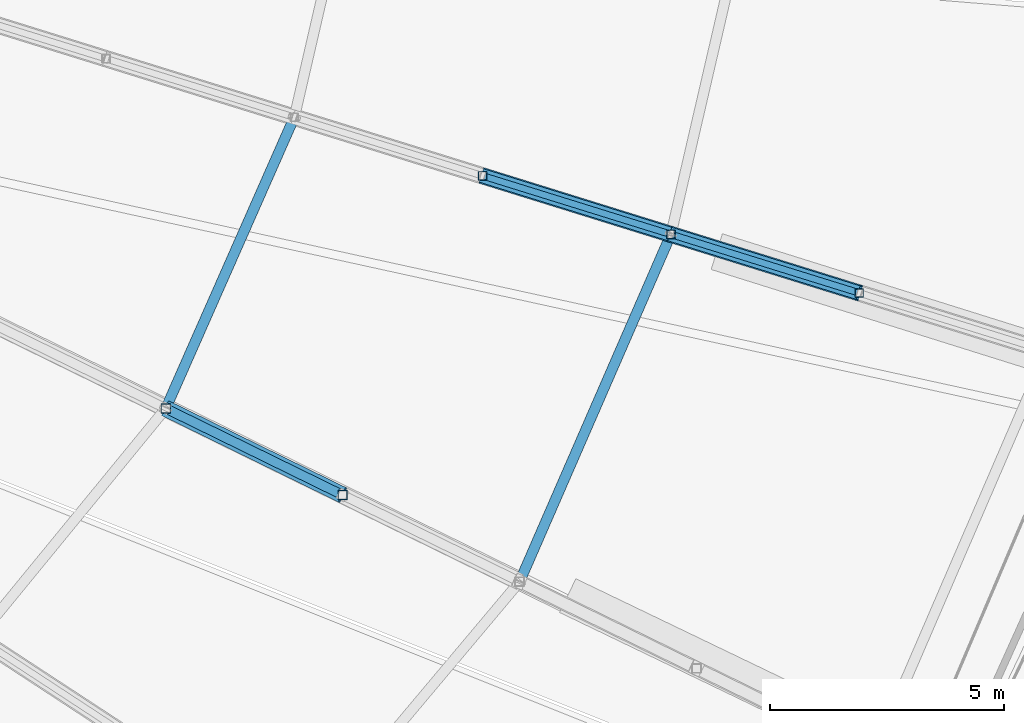
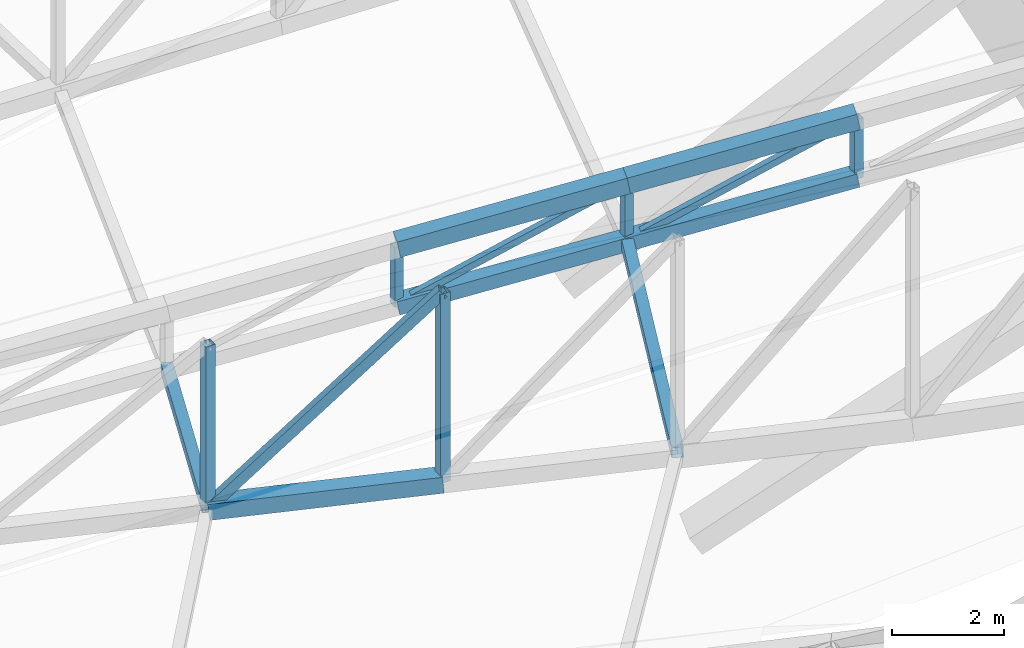
# One storey, part 88 of 344: 15 members.
"""IFC4 building model written with IfcOpenShell, lengths in metres."""

from ifc_helpers import new_model, si_unit, direction, frame, origin, origin_2d, place, context, subcontext, project, spatial, hollow_rectangle, extrude, material, material_profile, profile_set, type_object, element, save


model = new_model("IFC4")

# Units and contexts
model_context = context("Model", 3, precision=1e-05, world=origin(), true_north=direction((0.0, 1.0)))
body_context = subcontext(model_context, "Body", "Model", "MODEL_VIEW")
ifc_project = project(units=[si_unit("LENGTHUNIT", "METRE"), si_unit("AREAUNIT", "SQUARE_METRE"), si_unit("VOLUMEUNIT", "CUBIC_METRE"), si_unit("PLANEANGLEUNIT", "RADIAN"), si_unit("MASSUNIT", "GRAM", prefix="KILO")], contexts=[model_context])

# Site, building, storey
site_placement = place(None, origin())
site = spatial("IfcSite", under=ifc_project, at=site_placement, CompositionType="ELEMENT")
building_placement = place(site_placement, origin())
building = spatial("IfcBuilding", under=site, at=building_placement, Name="Meseta Stadium", CompositionType="ELEMENT")
storey_placement = place(building_placement, frame((0.0, 0.0, 24.0)))
storey = spatial("IfcBuildingStorey", under=building, at=storey_placement, Name="L04", CompositionType="ELEMENT", Elevation=24.0)

# Members
ifc_material_1 = material(Name="Steel S355", Category="steel")
ifc_material_profile_1 = material_profile(ifc_material_1, hollow_rectangle(XDim=0.139892578125, YDim=0.139892578125, WallThickness=0.0048828125, at=origin_2d()), Name="SHS 140x140x5")
ifc_profile_set_1 = profile_set([ifc_material_profile_1], Name="Steel S355")
member_type_1 = type_object("IfcMemberType", Name="SHS 140x140x5 diagonal", PredefinedType="BRACE", material=ifc_profile_set_1)
for number, where, z_axis, x_axis, name in (
    (1, (66.042236328125, -58.0185546875, 3.51025390625), (0.859290639384, -0.267194951752, 0.436149578498), (0.296924788831, 0.954900869084, 0.0), "ROOF TRUSS RT-55 diagonal"),
    (2, (70.073974609375, -59.272216796875, 4.256591796875), (0.859278691546, -0.267243269939, 0.436143514142), (0.296977513201, 0.954884472935, 0.0), "ROOF TRUSS RT-55 diagonal"),
):
    element("IfcMember", number, at=place(storey_placement, frame(where, z_axis=z_axis, x_axis=x_axis)), inside=storey, type_object=member_type_1, Name=name, PredefinedType="BRACE", context=body_context, shape_type="SweptSolid", body=[
        extrude(hollow_rectangle(XDim=0.139892578125, YDim=0.139892578125, WallThickness=0.0048828125, at=origin_2d()), origin(), (0.0, 0.0, 1.0), 4.69189453125),
    ])
ifc_material_2 = material(Name="Steel S355", Category="steel")
ifc_material_profile_2 = material_profile(ifc_material_2, hollow_rectangle(XDim=0.179931640625, YDim=0.179931640625, WallThickness=0.00634765625, at=origin_2d()), Name="SHS 180x180x6.3")
ifc_profile_set_2 = profile_set([ifc_material_profile_2], Name="Steel S355")
member_type_2 = type_object("IfcMemberType", Name="SHS 180x180x6.3 post", PredefinedType="POST", material=ifc_profile_set_2)
for number, where, z_axis, x_axis, name in (
    (3, (66.042236328125, -58.0185546875, 3.51025390625), (0.0, 0.0, 1.0), (1.0, 0.0, 0.0), "ROOF TRUSS RT-55 post"),
    (4, (70.073974609375, -59.272216796875, 4.256591796875), (0.0, 0.0, 1.0), (1.0, 0.0, 0.0), "ROOF TRUSS RT-55 post"),
    (5, (74.105712890625, -60.526123046875, 5.0029296875), (0.0, 0.0, 1.0), (1.0, 0.0, 0.0), "ROOF TRUSS RT-55 post"),
):
    element("IfcMember", number, at=place(storey_placement, frame(where, z_axis=z_axis, x_axis=x_axis)), inside=storey, type_object=member_type_2, Name=name, PredefinedType="POST", context=body_context, shape_type="SweptSolid", body=[
        extrude(hollow_rectangle(XDim=0.179931640625, YDim=0.179931640625, WallThickness=0.00634765625, at=origin_2d()), origin(), (0.0, 0.0, 1.0), 1.300048828125),
    ])
ifc_material_3 = material(Name="Steel S355", Category="steel")
ifc_material_profile_3 = material_profile(ifc_material_3, hollow_rectangle(XDim=0.199951171875, YDim=0.199951171875, WallThickness=0.008056640625, at=origin_2d()), Name="SHS 200x200x8")
ifc_profile_set_3 = profile_set([ifc_material_profile_3], Name="Steel S355")
member_type_3 = type_object("IfcMemberType", Name="SHS 200x200x8 diagonal", PredefinedType="BRACE", material=ifc_profile_set_3)
member_1_placement = place(storey_placement, frame((59.259033203125, -62.999267578125, 4.461669921875), z_axis=(0.611816826738, -0.299539839891, 0.732090195836), x_axis=(0.439718804076, 0.89813549832, 0.0)))
element("IfcMember", 6, at=member_1_placement, inside=storey, type_object=member_type_3, Name="ROOF TRUSS RT-54 diagonal", PredefinedType="BRACE", context=body_context, shape_type="SweptSolid", body=[
    extrude(hollow_rectangle(XDim=0.199951171875, YDim=0.199951171875, WallThickness=0.008056640625, at=origin_2d()), origin(), (0.0, 0.0, 1.0), 6.191162109375),
])
ifc_material_4 = material(Name="Steel S355", Category="steel")
ifc_material_profile_4 = material_profile(ifc_material_4, hollow_rectangle(XDim=0.199951171875, YDim=0.199951171875, WallThickness=0.008056640625, at=origin_2d()), Name="SHS 200x200x8")
ifc_profile_set_4 = profile_set([ifc_material_profile_4], Name="Steel S355")
member_type_4 = type_object("IfcMemberType", Name="SHS 200x200x8 post", PredefinedType="POST", material=ifc_profile_set_4)
member_2_placement = place(storey_placement, frame((59.259033203125, -62.999267578125, 4.461669921875), z_axis=(0.0, 0.0, 1.0), x_axis=(1.0, 0.0, 0.0)))
element("IfcMember", 7, at=member_2_placement, inside=storey, type_object=member_type_4, Name="ROOF TRUSS RT-54 post", PredefinedType="POST", context=body_context, shape_type="SweptSolid", body=[
    extrude(hollow_rectangle(XDim=0.199951171875, YDim=0.199951171875, WallThickness=0.008056640625, at=origin_2d()), origin(), (0.0, 0.0, 1.0), 3.58935546875),
])
member_3_placement = place(storey_placement, frame((63.046875, -64.853759765625, 4.857421875), z_axis=(0.0, 0.0, 1.0), x_axis=(1.0, 0.0, 0.0)))
element("IfcMember", 8, at=member_3_placement, inside=storey, type_object=member_type_4, Name="ROOF TRUSS RT-54 post", PredefinedType="POST", context=body_context, shape_type="SweptSolid", body=[
    extrude(hollow_rectangle(XDim=0.199951171875, YDim=0.199951171875, WallThickness=0.008056640625, at=origin_2d()), origin(), (0.0, 0.0, 1.0), 4.13671875),
])
ifc_material_5 = material(Name="Steel S355", Category="steel")
ifc_material_profile_5 = material_profile(ifc_material_5, hollow_rectangle(XDim=0.219970703125, YDim=0.219970703125, WallThickness=0.008056640625, at=origin_2d()), Name="SHS 220x220x8")
ifc_profile_set_5 = profile_set([ifc_material_profile_5], Name="Steel S355")
member_type_5 = type_object("IfcMemberType", Name="SHS 220x220x8 strut", PredefinedType="STRUT", material=ifc_profile_set_5)
member_4_placement = place(storey_placement, frame((59.259033203125, -62.999267578125, 4.461669921875), z_axis=(0.391775661057, 0.887735142538, -0.24173983558), x_axis=(-0.914869154579, 0.403750455108, 0.0)))
element("IfcMember", 9, at=member_4_placement, inside=storey, type_object=member_type_5, Name="ROOF TRUSS STRUT RT-54/55", PredefinedType="STRUT", context=body_context, shape_type="SweptSolid", body=[
    extrude(hollow_rectangle(XDim=0.219970703125, YDim=0.219970703125, WallThickness=0.008056640625, at=origin_2d()), origin(), (0.0, 0.0, 1.0), 7.02294921875),
])
member_5_placement = place(storey_placement, frame((66.834716796875, -66.708251953125, 5.253173828125), z_axis=(0.396387912699, 0.909947470981, -0.121951722915), x_axis=(-0.916790363783, 0.399368788058, 0.0)))
element("IfcMember", 10, at=member_5_placement, inside=storey, type_object=member_type_5, Name="ROOF TRUSS STRUT RT-54/55", PredefinedType="STRUT", context=body_context, shape_type="SweptSolid", body=[
    extrude(hollow_rectangle(XDim=0.219970703125, YDim=0.219970703125, WallThickness=0.008056640625, at=origin_2d()), origin(), (0.0, 0.0, 1.0), 8.171875),
])
ifc_material_6 = material(Name="Steel S355", Category="steel")
ifc_material_profile_6 = material_profile(ifc_material_6, hollow_rectangle(XDim=0.300048828125, YDim=0.300048828125, WallThickness=0.010009765625, at=origin_2d()), Name="SHS 300x300x10")
ifc_profile_set_6 = profile_set([ifc_material_profile_6], Name="Steel S355")
member_type_6 = type_object("IfcMemberType", Name="SHS 300x300x10 bottom chord", PredefinedType="CHORD", material=ifc_profile_set_6)
for number, where, z_axis, x_axis, name in (
    (11, (66.042236328125, -58.0185546875, 3.51025390625), (0.940322919672, -0.292391800443, 0.174068497362), (0.296924788831, 0.954900869084, 0.0), "ROOF TRUSS RT-55 bottom chord"),
    (12, (70.073974609375, -59.272216796875, 4.256591796875), (0.940307263038, -0.292443872046, 0.174065599074), (0.296977513201, 0.954884472935, 0.0), "ROOF TRUSS RT-55 bottom chord"),
):
    element("IfcMember", number, at=place(storey_placement, frame(where, z_axis=z_axis, x_axis=x_axis)), inside=storey, type_object=member_type_6, Name=name, PredefinedType="CHORD", context=body_context, shape_type="SweptSolid", body=[
        extrude(hollow_rectangle(XDim=0.300048828125, YDim=0.300048828125, WallThickness=0.010009765625, at=origin_2d()), origin(), (0.0, 0.0, 1.0), 4.28759765625),
    ])
ifc_material_7 = material(Name="Steel S355", Category="steel")
ifc_material_profile_7 = material_profile(ifc_material_7, hollow_rectangle(XDim=0.35009765625, YDim=0.35009765625, WallThickness=0.010009765625, at=origin_2d()), Name="SHS 350x350x10")
ifc_profile_set_7 = profile_set([ifc_material_profile_7], Name="Steel S355")
member_type_7 = type_object("IfcMemberType", Name="SHS 350x350x10 top chord", PredefinedType="CHORD", material=ifc_profile_set_7)
for number, where, z_axis, x_axis, name in (
    (13, (66.042236328125, -58.0185546875, 4.810302734375), (0.940322919672, -0.292391800443, 0.174068497362), (0.296924788831, 0.954900869084, 0.0), "ROOF TRUSS RT-55 top chord"),
    (14, (70.073974609375, -59.272216796875, 5.556640625), (0.940307263038, -0.292443872046, 0.174065599074), (0.296977513201, 0.954884472935, 0.0), "ROOF TRUSS RT-55 top chord"),
):
    element("IfcMember", number, at=place(storey_placement, frame(where, z_axis=z_axis, x_axis=x_axis)), inside=storey, type_object=member_type_7, Name=name, PredefinedType="CHORD", context=body_context, shape_type="SweptSolid", body=[
        extrude(hollow_rectangle(XDim=0.35009765625, YDim=0.35009765625, WallThickness=0.010009765625, at=origin_2d()), origin(), (0.0, 0.0, 1.0), 4.28759765625),
    ])
ifc_material_8 = material(Name="Steel S355", Category="steel")
ifc_material_profile_8 = material_profile(ifc_material_8, hollow_rectangle(XDim=0.35009765625, YDim=0.35009765625, WallThickness=0.01416015625, at=origin_2d()), Name="SHS 350x350x14.2")
ifc_profile_set_8 = profile_set([ifc_material_profile_8], Name="Steel S355")
member_type_8 = type_object("IfcMemberType", Name="SHS 350x350x14.2 bottom chord", PredefinedType="CHORD", material=ifc_profile_set_8)
member_6_placement = place(storey_placement, frame((59.259033203125, -62.999267578125, 4.461669921875), z_axis=(0.8942072269, -0.437795558848, 0.093426356094), x_axis=(0.439718804076, 0.89813549832, 0.0)))
element("IfcMember", 15, at=member_6_placement, inside=storey, type_object=member_type_8, Name="ROOF TRUSS RT-54 bottom chord", PredefinedType="CHORD", context=body_context, shape_type="SweptSolid", body=[
    extrude(hollow_rectangle(XDim=0.35009765625, YDim=0.35009765625, WallThickness=0.01416015625, at=origin_2d()), origin(), (0.0, 0.0, 1.0), 4.236083984375),
])

save(model, "model.ifc")
